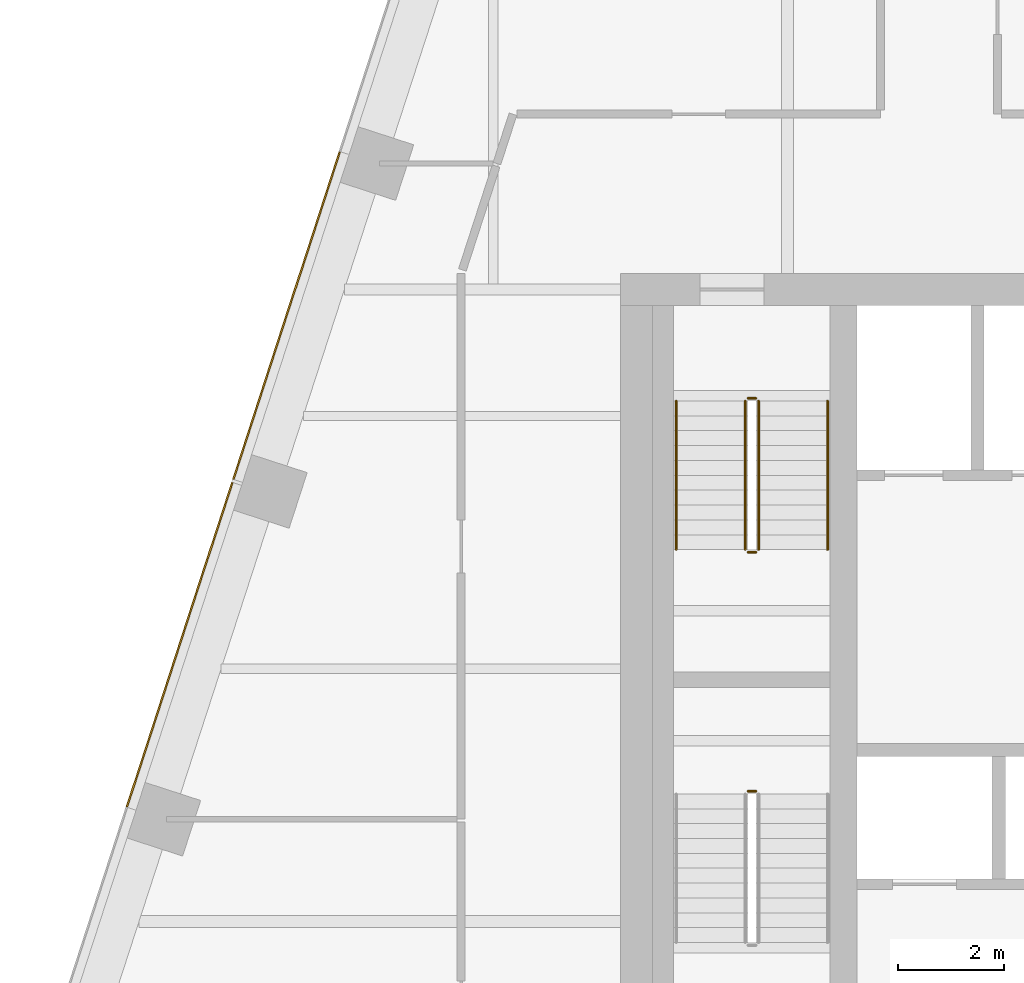
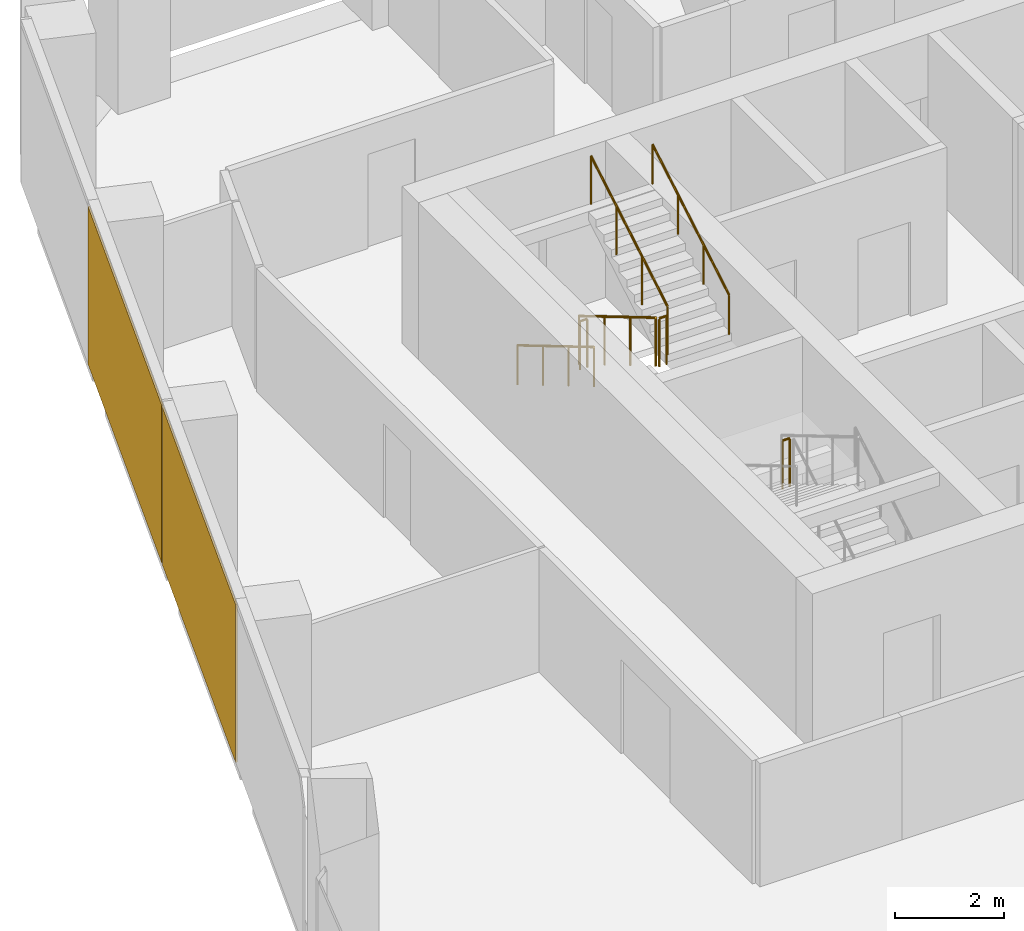
# One storey, part 14 of 15: 7 railings, 2 coverings, 1 element without a shape of its own.
"""IFC4 building model written with IfcOpenShell, lengths in metres."""

from ifc_helpers import new_model, si_unit, direction, frame, origin, origin_2d, place, context, subcontext, project, spatial, rectangle, circle, extrude, material, layer, layer_set, type_object, element, aggregate, save


model = new_model("IFC4")

# Units and contexts
model_context = context("Model", 3, precision=1e-05, world=origin(), true_north=direction((0.0, 1.0)))
body_context = subcontext(model_context, "Body", "Model", "MODEL_VIEW")
ifc_project = project(units=[si_unit("LENGTHUNIT", "METRE"), si_unit("AREAUNIT", "SQUARE_METRE"), si_unit("VOLUMEUNIT", "CUBIC_METRE"), si_unit("PLANEANGLEUNIT", "RADIAN"), si_unit("MASSUNIT", "GRAM", prefix="KILO")], contexts=[model_context])

# Site, building, storey
site_placement = place(None, origin())
site = spatial("IfcSite", under=ifc_project, at=site_placement, CompositionType="ELEMENT")
building_placement = place(site_placement, origin())
building = spatial("IfcBuilding", under=site, at=building_placement, Name="Isthmus Gate Tower", CompositionType="ELEMENT")
storey_placement = place(building_placement, frame((0.0, 0.0, 223.60009765625)))
storey = spatial("IfcBuildingStorey", under=building, at=storey_placement, Name="L56", CompositionType="ELEMENT", Elevation=223.60009765625)

# Curtain wall, coverings
ifc_material_1 = material(Name="Aluminium, pale champagne anodised", Category="aluminium")
ifc_layer_1 = layer(ifc_material_1, 0.199951171875)
ifc_layer_set_1 = layer_set([ifc_layer_1], Name="CW-1 UNITISED CURTAIN WALL 200 DEEP")
curtain_wall_type = type_object("IfcCurtainWallType", Name="CW-1 UNITISED CURTAIN WALL 200 DEEP", PredefinedType="NOTDEFINED", material=ifc_layer_set_1)
curtain_wall_placement = place(storey_placement, origin())
curtain_wall = element("IfcCurtainWall", 1, at=curtain_wall_placement, inside=storey, type_object=curtain_wall_type, Name="CW-1 NW L56", PredefinedType="NOTDEFINED")
ifc_material_2 = material(Name="Aluminium composite panel, pale champagne anodised", Category="aluminium")
ifc_layer_2 = layer(ifc_material_2, 0.031982421875)
ifc_layer_set_2 = layer_set([ifc_layer_2], Name="CW-1 PALE METAL PANEL 32")
covering_type = type_object("IfcCoveringType", Name="CW-1 PALE METAL PANEL 32", PredefinedType="CLADDING", material=ifc_layer_set_2)
covering_1_placement = place(storey_placement, frame((-21.288330078125, 14.210693359375, 0.0), z_axis=(0.0, 0.0, 1.0), x_axis=(-0.309016994375, -0.951056516295, 0.0)))
covering_1 = element("IfcCovering", 2, at=covering_1_placement, type_object=covering_type, Name="CW-1 pale metal panel", PredefinedType="CLADDING", context=body_context, shape_type="SweptSolid", body=[
    extrude(rectangle(XDim=6.491943359375, YDim=0.031982421875, at=origin_2d()), origin(), (0.0, 0.0, 1.0), 3.52001953125),
])
covering_2_placement = place(storey_placement, frame((-23.3037109375, 8.0078125, 0.0), z_axis=(0.0, 0.0, 1.0), x_axis=(-0.309016994375, -0.951056516295, 0.0)))
covering_2 = element("IfcCovering", 3, at=covering_2_placement, type_object=covering_type, Name="CW-1 pale metal panel", PredefinedType="CLADDING", context=body_context, shape_type="SweptSolid", body=[
    extrude(rectangle(XDim=6.431884765625, YDim=0.031982421875, at=origin_2d()), origin(), (0.0, 0.0, 1.0), 3.52001953125),
])
aggregate(curtain_wall, [covering_1, covering_2])

# Railings
ifc_material_3 = material(Name="Stainless steel balustrade", Category="steel")
railing_type_1 = type_object("IfcRailingType", Name="STAIR GUARD 1100", PredefinedType="GUARDRAIL", material=ifc_material_3)
railing_1_placement = place(storey_placement, frame((-12.64990234375, 12.60009765625, 0.165771484375)))
element("IfcRailing", 4, at=railing_1_placement, inside=storey, type_object=railing_type_1, Name="L56 ST1 stair guard 1", PredefinedType="GUARDRAIL", context=body_context, shape_type="SweptSolid", body=[
    extrude(circle(Radius=0.02392578125, at=origin_2d()), frame((0.0, 0.0, 1.076171875), z_axis=(0.0, -0.860306154799, 0.50977771628), x_axis=(1.0, 0.0, 0.0)), (0.0, 0.0, 1.0), 3.254638671875),
    extrude(circle(Radius=0.02099609375, at=origin_2d()), origin(), (0.0, 0.0, 1.0), 1.052001953125),
    extrude(circle(Radius=0.02099609375, at=origin_2d()), frame((0.0, -0.933349609375, 0.552978515625)), (0.0, 0.0, 1.0), 1.052001953125),
    extrude(circle(Radius=0.02099609375, at=origin_2d()), frame((0.0, -1.86669921875, 1.106201171875)), (0.0, 0.0, 1.0), 1.052001953125),
    extrude(circle(Radius=0.02099609375, at=origin_2d()), frame((0.0, -2.800048828125, 1.6591796875)), (0.0, 0.0, 1.0), 1.052001953125),
])
railing_2_placement = place(storey_placement, frame((-12.60009765625, 9.75, 1.824951171875)))
element("IfcRailing", 5, at=railing_2_placement, inside=storey, type_object=railing_type_1, Name="L56 ST1 stair guard 2", PredefinedType="GUARDRAIL", context=body_context, shape_type="SweptSolid", body=[
    extrude(circle(Radius=0.02392578125, at=origin_2d()), frame((0.0, 0.0, 1.076171875), z_axis=(1.0, 0.0, 0.0), x_axis=(0.0, 1.0, 0.0)), (0.0, 0.0, 1.0), 0.150146484375),
    extrude(circle(Radius=0.02099609375, at=origin_2d()), origin(), (0.0, 0.0, 1.0), 1.052001953125),
    extrude(circle(Radius=0.02099609375, at=origin_2d()), frame((0.150146484375, 0.0, 0.0)), (0.0, 0.0, 1.0), 1.052001953125),
])
railing_3_placement = place(storey_placement, frame((-12.39990234375, 9.800048828125, 1.99072265625)))
element("IfcRailing", 6, at=railing_3_placement, inside=storey, type_object=railing_type_1, Name="L56 ST1 stair guard 3", PredefinedType="GUARDRAIL", context=body_context, shape_type="SweptSolid", body=[
    extrude(circle(Radius=0.02392578125, at=origin_2d()), frame((0.0, 0.0, 1.076171875), z_axis=(0.0, 0.860306154799, 0.50977771628), x_axis=(-1.0, 0.0, 0.0)), (0.0, 0.0, 1.0), 3.254638671875),
    extrude(circle(Radius=0.02099609375, at=origin_2d()), origin(), (0.0, 0.0, 1.0), 1.052001953125),
    extrude(circle(Radius=0.02099609375, at=origin_2d()), frame((0.0, 0.933349609375, 0.552978515625)), (0.0, 0.0, 1.0), 1.052001953125),
    extrude(circle(Radius=0.02099609375, at=origin_2d()), frame((0.0, 1.86669921875, 1.106201171875)), (0.0, 0.0, 1.0), 1.052001953125),
    extrude(circle(Radius=0.02099609375, at=origin_2d()), frame((0.0, 2.800048828125, 1.6591796875)), (0.0, 0.0, 1.0), 1.052001953125),
])
railing_4_placement = place(storey_placement, frame((-12.60009765625, 12.64990234375, 0.0)))
element("IfcRailing", 7, at=railing_4_placement, inside=storey, type_object=railing_type_1, Name="L56 ST1 stair guard 4", PredefinedType="GUARDRAIL", context=body_context, shape_type="SweptSolid", body=[
    extrude(circle(Radius=0.02392578125, at=origin_2d()), frame((0.0, 0.0, 1.076171875), z_axis=(1.0, 0.0, 0.0), x_axis=(0.0, 1.0, 0.0)), (0.0, 0.0, 1.0), 0.150146484375),
    extrude(circle(Radius=0.02099609375, at=origin_2d()), origin(), (0.0, 0.0, 1.0), 1.052001953125),
    extrude(circle(Radius=0.02099609375, at=origin_2d()), frame((0.150146484375, 0.0, 0.0)), (0.0, 0.0, 1.0), 1.052001953125),
])
railing_5_placement = place(storey_placement, frame((-12.449951171875, 5.25, 1.824951171875)))
element("IfcRailing", 8, at=railing_5_placement, inside=storey, type_object=railing_type_1, Name="L56 ST7 stair guard 2", PredefinedType="GUARDRAIL", context=body_context, shape_type="SweptSolid", body=[
    extrude(circle(Radius=0.02392578125, at=origin_2d()), frame((0.0, 0.0, 1.076171875), z_axis=(-1.0, 0.0, 0.0), x_axis=(0.0, -1.0, 0.0)), (0.0, 0.0, 1.0), 0.150146484375),
    extrude(circle(Radius=0.02099609375, at=origin_2d()), origin(), (0.0, 0.0, 1.0), 1.052001953125),
    extrude(circle(Radius=0.02099609375, at=origin_2d()), frame((-0.150146484375, 0.0, 0.0)), (0.0, 0.0, 1.0), 1.052001953125),
])
ifc_material_4 = material(Name="Stainless steel handrail", Category="steel")
railing_type_2 = type_object("IfcRailingType", Name="STAIR HANDRAIL 900", PredefinedType="HANDRAIL", material=ifc_material_4)
railing_6_placement = place(storey_placement, frame((-13.949951171875, 12.60009765625, 0.165771484375)))
element("IfcRailing", 9, at=railing_6_placement, inside=storey, type_object=railing_type_2, Name="L56 ST1 stair handrail 1", PredefinedType="HANDRAIL", context=body_context, shape_type="SweptSolid", body=[
    extrude(circle(Radius=0.02392578125, at=origin_2d()), frame((0.0, 0.0, 0.8759765625), z_axis=(0.0, -0.860306154799, 0.50977771628), x_axis=(1.0, 0.0, 0.0)), (0.0, 0.0, 1.0), 3.254638671875),
    extrude(circle(Radius=0.02099609375, at=origin_2d()), origin(), (0.0, 0.0, 1.0), 0.851806640625),
    extrude(circle(Radius=0.02099609375, at=origin_2d()), frame((0.0, -0.933349609375, 0.552978515625)), (0.0, 0.0, 1.0), 0.851806640625),
    extrude(circle(Radius=0.02099609375, at=origin_2d()), frame((0.0, -1.86669921875, 1.106201171875)), (0.0, 0.0, 1.0), 0.851806640625),
    extrude(circle(Radius=0.02099609375, at=origin_2d()), frame((0.0, -2.800048828125, 1.6591796875)), (0.0, 0.0, 1.0), 0.851806640625),
])
railing_7_placement = place(storey_placement, frame((-11.10009765625, 9.800048828125, 1.99072265625)))
element("IfcRailing", 10, at=railing_7_placement, inside=storey, type_object=railing_type_2, Name="L56 ST1 stair handrail 2", PredefinedType="HANDRAIL", context=body_context, shape_type="SweptSolid", body=[
    extrude(circle(Radius=0.02392578125, at=origin_2d()), frame((0.0, 0.0, 0.8759765625), z_axis=(0.0, 0.860306154799, 0.50977771628), x_axis=(-1.0, 0.0, 0.0)), (0.0, 0.0, 1.0), 3.254638671875),
    extrude(circle(Radius=0.02099609375, at=origin_2d()), origin(), (0.0, 0.0, 1.0), 0.851806640625),
    extrude(circle(Radius=0.02099609375, at=origin_2d()), frame((0.0, 0.933349609375, 0.552978515625)), (0.0, 0.0, 1.0), 0.851806640625),
    extrude(circle(Radius=0.02099609375, at=origin_2d()), frame((0.0, 1.86669921875, 1.106201171875)), (0.0, 0.0, 1.0), 0.851806640625),
    extrude(circle(Radius=0.02099609375, at=origin_2d()), frame((0.0, 2.800048828125, 1.6591796875)), (0.0, 0.0, 1.0), 0.851806640625),
])

save(model, "model.ifc")
